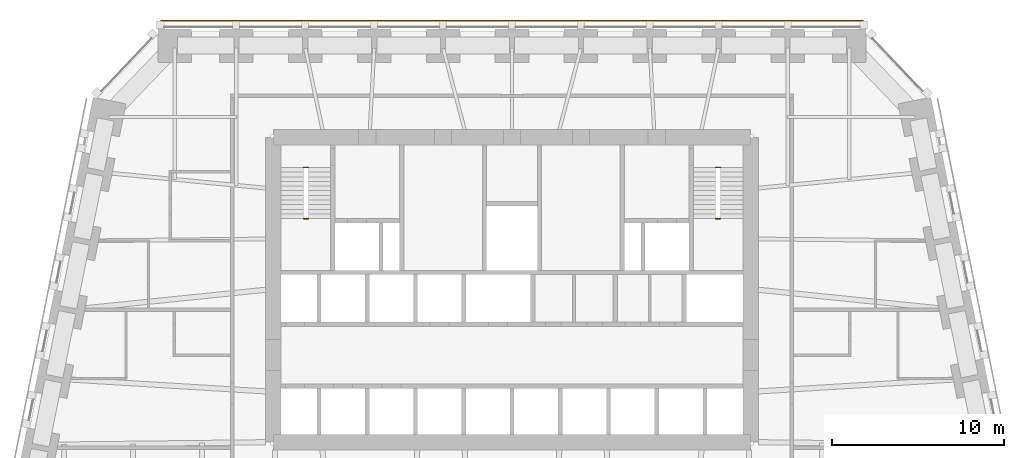
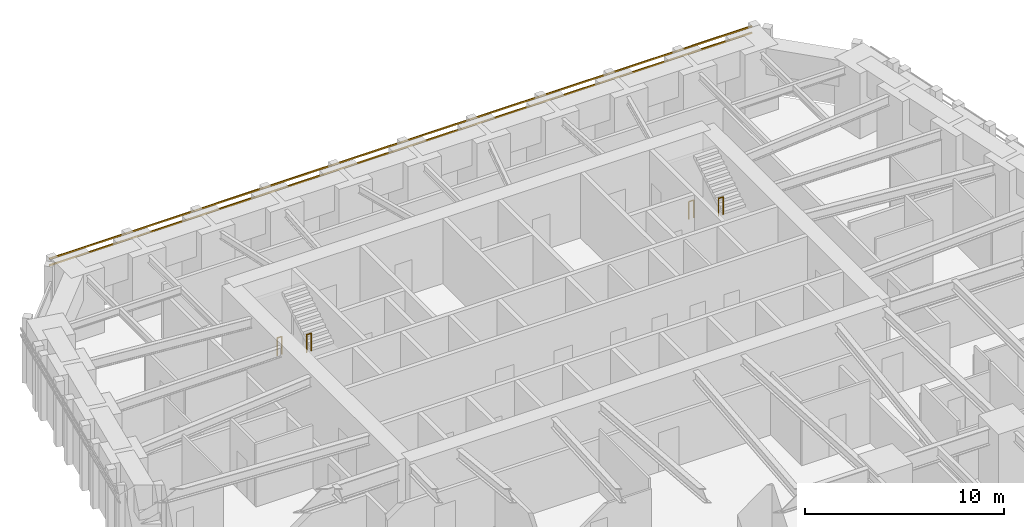
# One storey, part 16 of 16: 4 railings, 2 shading devices.
"""IFC4 building model written with IfcOpenShell, lengths in metres."""

from ifc_helpers import new_model, si_unit, direction, frame, origin, origin_2d, place, context, subcontext, project, spatial, rectangle, circle, extrude, material, material_profile, profile_set, type_object, element, save


model = new_model("IFC4")

# Units and contexts
model_context = context("Model", 3, precision=1e-05, world=origin(), true_north=direction((0.0, 1.0)))
body_context = subcontext(model_context, "Body", "Model", "MODEL_VIEW")
ifc_project = project(units=[si_unit("LENGTHUNIT", "METRE"), si_unit("AREAUNIT", "SQUARE_METRE"), si_unit("VOLUMEUNIT", "CUBIC_METRE"), si_unit("PLANEANGLEUNIT", "RADIAN"), si_unit("MASSUNIT", "GRAM", prefix="KILO")], contexts=[model_context])

# Site, building, storey
site_placement = place(None, origin())
site = spatial("IfcSite", under=ifc_project, at=site_placement, CompositionType="ELEMENT")
building_placement = place(site_placement, origin())
building = spatial("IfcBuilding", under=site, at=building_placement, Name="Isbrekke Arena Tower", CompositionType="ELEMENT")
storey_placement = place(building_placement, frame((0.0, 0.0, 44.0)))
storey = spatial("IfcBuildingStorey", under=building, at=storey_placement, Name="L08", CompositionType="ELEMENT", Elevation=44.0)

# Shading devices
ifc_material_1 = material(Name="Terracotta", Category="masonry")
ifc_material_profile = material_profile(ifc_material_1, rectangle(XDim=0.06005859375, YDim=0.06005859375, at=origin_2d()), Name="BAGUETTE 60X60")
ifc_profile_set = profile_set([ifc_material_profile], Name="Terracotta")
shading_device_type = type_object("IfcShadingDeviceType", Name="BG1 TERRACOTTA BAGUETTE 60 x 60", PredefinedType="USERDEFINED", material=ifc_profile_set)
for number, where, z_axis, x_axis, name in (
    (1, (20.39990234375, 30.6298828125, 3.280029296875), (-1.0, 0.0, 0.0), (0.0, -1.0, 0.0), "BG1 terracotta baguette N1 L08"),
    (2, (20.39990234375, 30.6298828125, 3.679931640625), (-1.0, 0.0, 0.0), (0.0, -1.0, 0.0), "BG1 terracotta baguette N2 L08"),
):
    element("IfcShadingDevice", number, at=place(storey_placement, frame(where, z_axis=z_axis, x_axis=x_axis)), inside=storey, type_object=shading_device_type, Name=name, ObjectType="TERRACOTTA BAGUETTE", PredefinedType="USERDEFINED", context=body_context, shape_type="SweptSolid", body=[
        extrude(rectangle(XDim=0.06005859375, YDim=0.06005859375, at=origin_2d()), origin(), (0.0, 0.0, 1.0), 40.7998046875),
    ])

# Railings
ifc_material_2 = material(Name="Steel stair guard, vertical bars, steel handrail", Category="steel")
railing_type = type_object("IfcRailingType", Name="GR3 STAIR WELL GUARD 1100", PredefinedType="GUARDRAIL", material=ifc_material_2)
for number, where, name in (
    (3, (-12.10009765625, 22.10009765625, 0.0), "GR3 stair well guard ST1 L08"),
    (4, (-12.10009765625, 19.1298828125, 2.0), "GR3 stair well guard ST1 L08"),
    (5, (11.824951171875, 22.10009765625, 0.0), "GR3 stair well guard ST2 L08"),
    (6, (11.824951171875, 19.1298828125, 2.0), "GR3 stair well guard ST2 L08"),
):
    element("IfcRailing", number, at=place(storey_placement, frame(where)), inside=storey, type_object=railing_type, Name=name, PredefinedType="GUARDRAIL", context=body_context, shape_type="SweptSolid", body=[
        extrude(circle(Radius=0.02392578125, at=origin_2d()), frame((0.0, 0.0, 1.076171875), z_axis=(1.0, 0.0, 0.0), x_axis=(0.0, 1.0, 0.0)), (0.0, 0.0, 1.0), 0.275146484375),
        extrude(circle(Radius=0.02099609375, at=origin_2d()), origin(), (0.0, 0.0, 1.0), 1.052001953125),
        extrude(circle(Radius=0.02099609375, at=origin_2d()), frame((0.275146484375, 0.0, 0.0)), (0.0, 0.0, 1.0), 1.052001953125),
    ])

save(model, "model.ifc")
